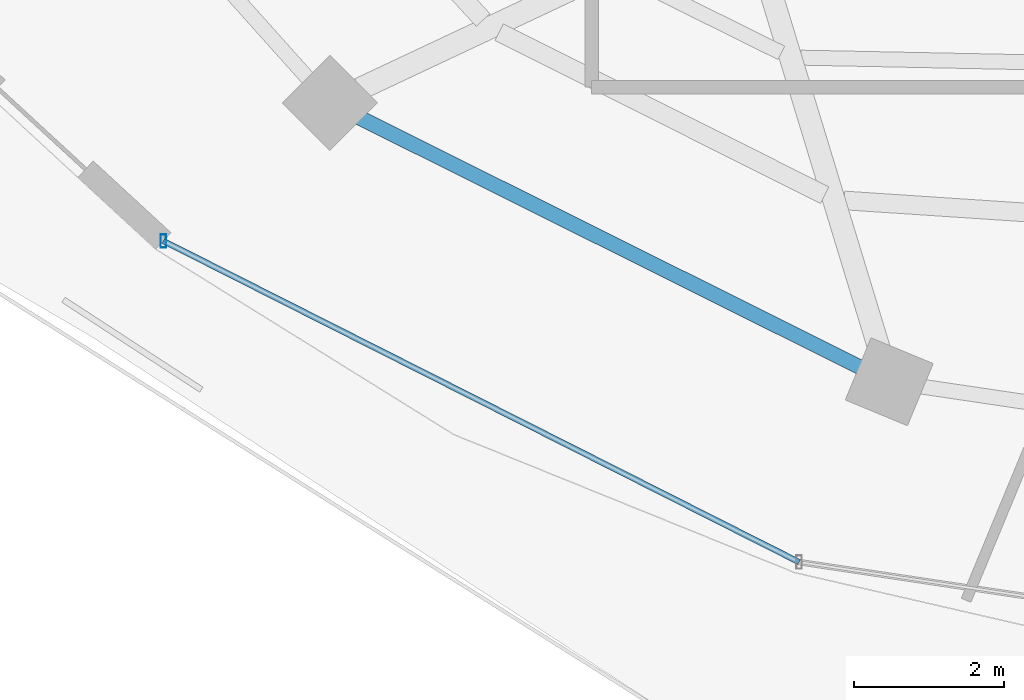
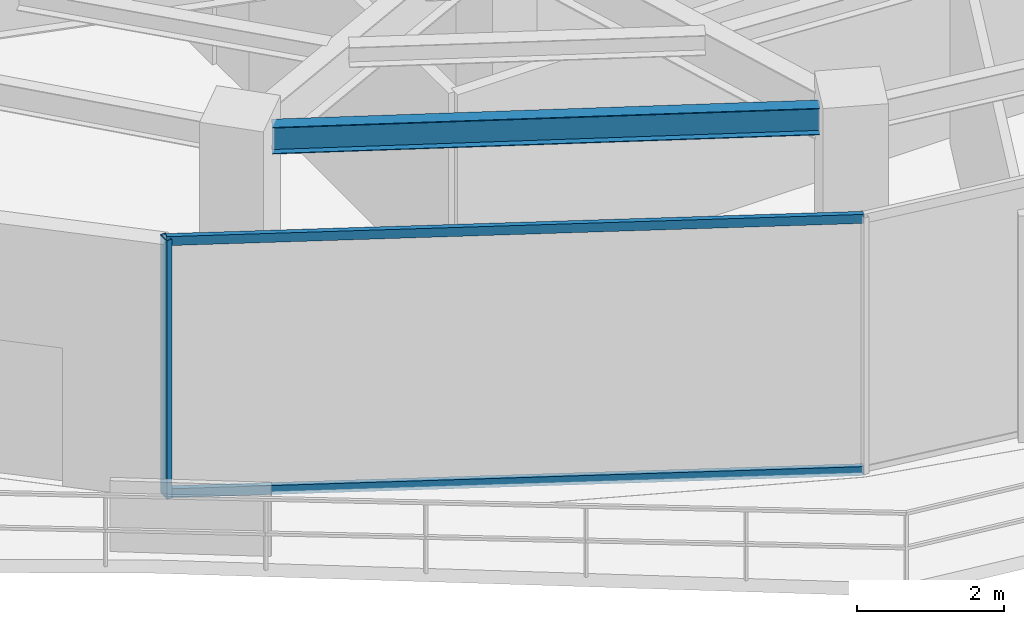
# One storey, part 2 of 27: 3 members, 1 beam, 1 element without a shape of its own.
"""IFC4 building model written with IfcOpenShell, lengths in metres."""

from ifc_helpers import new_model, si_unit, direction, frame, origin, origin_2d, place, context, subcontext, project, spatial, hollow_rectangle, i_section, extrude, material, material_profile, profile_set, type_object, element, aggregate, save


model = new_model("IFC4")

# Units and contexts
model_context = context("Model", 3, precision=1e-05, world=origin(), true_north=direction((0.0, 1.0)))
body_context = subcontext(model_context, "Body", "Model", "MODEL_VIEW")
ifc_project = project(units=[si_unit("LENGTHUNIT", "METRE"), si_unit("AREAUNIT", "SQUARE_METRE"), si_unit("VOLUMEUNIT", "CUBIC_METRE"), si_unit("PLANEANGLEUNIT", "RADIAN"), si_unit("MASSUNIT", "GRAM", prefix="KILO")], contexts=[model_context])

# Site, building, storey
site_placement = place(None, origin())
site = spatial("IfcSite", under=ifc_project, at=site_placement, CompositionType="ELEMENT")
building_placement = place(site_placement, origin())
building = spatial("IfcBuilding", under=site, at=building_placement, Name="Vorneva Point Tower", CompositionType="ELEMENT")
storey_placement = place(building_placement, frame((0.0, 0.0, 229.75)))
storey = spatial("IfcBuildingStorey", under=building, at=storey_placement, Name="L62", CompositionType="ELEMENT", Elevation=229.75)

# Beam
ifc_material_1 = material(Name="Steel S355", Category="steel")
ifc_material_profile_1 = material_profile(ifc_material_1, i_section(OverallWidth=0.198974609375, OverallDepth=0.446044921875, WebThickness=0.008056640625, FlangeThickness=0.011962890625, at=origin_2d()), Name="45B1")
ifc_profile_set_1 = profile_set([ifc_material_profile_1], Name="Steel S355")
beam_type = type_object("IfcBeamType", Name="BM-SPN-45B1", PredefinedType="SPANDREL", material=ifc_profile_set_1)
beam_placement = place(storey_placement, frame((22.090576171875, 13.643798828125, 4.01708984375), z_axis=(0.894922371084, -0.446221861559, 0.0), x_axis=(0.446221861559, 0.894922371084, 0.0)))
element("IfcBeam", 1, at=beam_placement, inside=storey, type_object=beam_type, Name="L62 Perimeter Spandrel Ring Beam 11", PredefinedType="SPANDREL", context=body_context, shape_type="SweptSolid", body=[
    extrude(i_section(OverallWidth=0.198974609375, OverallDepth=0.446044921875, WebThickness=0.008056640625, FlangeThickness=0.011962890625, at=origin_2d()), origin(), (0.0, 0.0, 1.0), 7.48583984375),
])

# Curtain wall, members
ifc_material_2 = material(Name="Pale anodised aluminium", Category="aluminium")
curtain_wall_type = type_object("IfcCurtainWallType", Name="CW-SKY-SYS", PredefinedType="NOTDEFINED", material=ifc_material_2)
curtain_wall_placement = place(storey_placement, origin())
curtain_wall = element("IfcCurtainWall", 2, at=curtain_wall_placement, inside=storey, type_object=curtain_wall_type, Name="L62 Unitised Curtain Wall CW-L62-R04", PredefinedType="NOTDEFINED")
ifc_material_profile_2 = material_profile(ifc_material_2, hollow_rectangle(XDim=0.074951171875, YDim=0.179931640625, WallThickness=0.00390625, at=origin_2d()), Name="AL-MUL 180x75x4")
ifc_profile_set_2 = profile_set([ifc_material_profile_2], Name="Pale anodised aluminium")
member_type_1 = type_object("IfcMemberType", Name="CW-MUL-180", PredefinedType="MULLION", material=ifc_profile_set_2)
member_1_placement = place(storey_placement, frame((19.473876953125, 11.9921875, -0.0400390625), z_axis=(0.0, 0.0, 1.0), x_axis=(1.0, 0.0, 0.0)))
member_1 = element("IfcMember", 3, at=member_1_placement, type_object=member_type_1, Name="CW-L62-R04 Mullion 01", PredefinedType="MULLION", context=body_context, shape_type="SweptSolid", body=[
    extrude(hollow_rectangle(XDim=0.074951171875, YDim=0.179931640625, WallThickness=0.00390625, at=origin_2d()), origin(), (0.0, 0.0, 1.0), 4.31005859375),
])
ifc_material_profile_3 = material_profile(ifc_material_2, hollow_rectangle(XDim=0.074951171875, YDim=0.14990234375, WallThickness=0.00390625, at=origin_2d()), Name="AL-TRN 150x75x4")
ifc_profile_set_3 = profile_set([ifc_material_profile_3], Name="Pale anodised aluminium")
member_type_2 = type_object("IfcMemberType", Name="CW-TRN-150", PredefinedType="USERDEFINED", material=ifc_profile_set_3)
member_2_placement = place(storey_placement, frame((19.473876953125, 11.9921875, 0.02001953125), z_axis=(0.892558185815, -0.450932239848, 0.0), x_axis=(0.450932239848, 0.892558185815, 0.0)))
member_2 = element("IfcMember", 4, at=member_2_placement, type_object=member_type_2, Name="CW-L62-R04 Transom 01.1", ObjectType="TRANSOM", PredefinedType="USERDEFINED", context=body_context, shape_type="SweptSolid", body=[
    extrude(hollow_rectangle(XDim=0.074951171875, YDim=0.14990234375, WallThickness=0.00390625, at=origin_2d()), origin(), (0.0, 0.0, 1.0), 9.52294921875),
])
member_3_placement = place(storey_placement, frame((19.473876953125, 11.9921875, 4.219970703125), z_axis=(0.892558185815, -0.450932239848, 0.0), x_axis=(0.450932239848, 0.892558185815, 0.0)))
member_3 = element("IfcMember", 5, at=member_3_placement, type_object=member_type_2, Name="CW-L62-R04 Transom 01.2", ObjectType="TRANSOM", PredefinedType="USERDEFINED", context=body_context, shape_type="SweptSolid", body=[
    extrude(hollow_rectangle(XDim=0.074951171875, YDim=0.14990234375, WallThickness=0.00390625, at=origin_2d()), origin(), (0.0, 0.0, 1.0), 9.52294921875),
])
aggregate(curtain_wall, [member_1, member_2, member_3])

save(model, "model.ifc")
